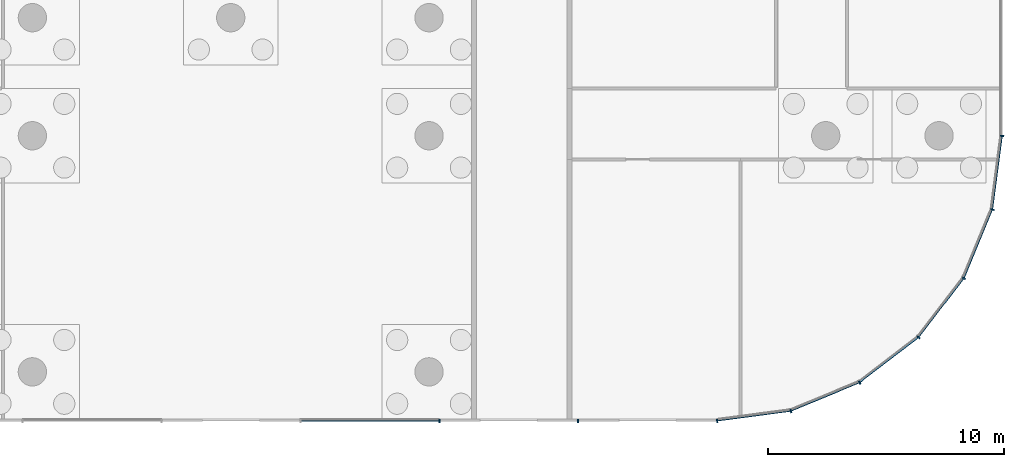
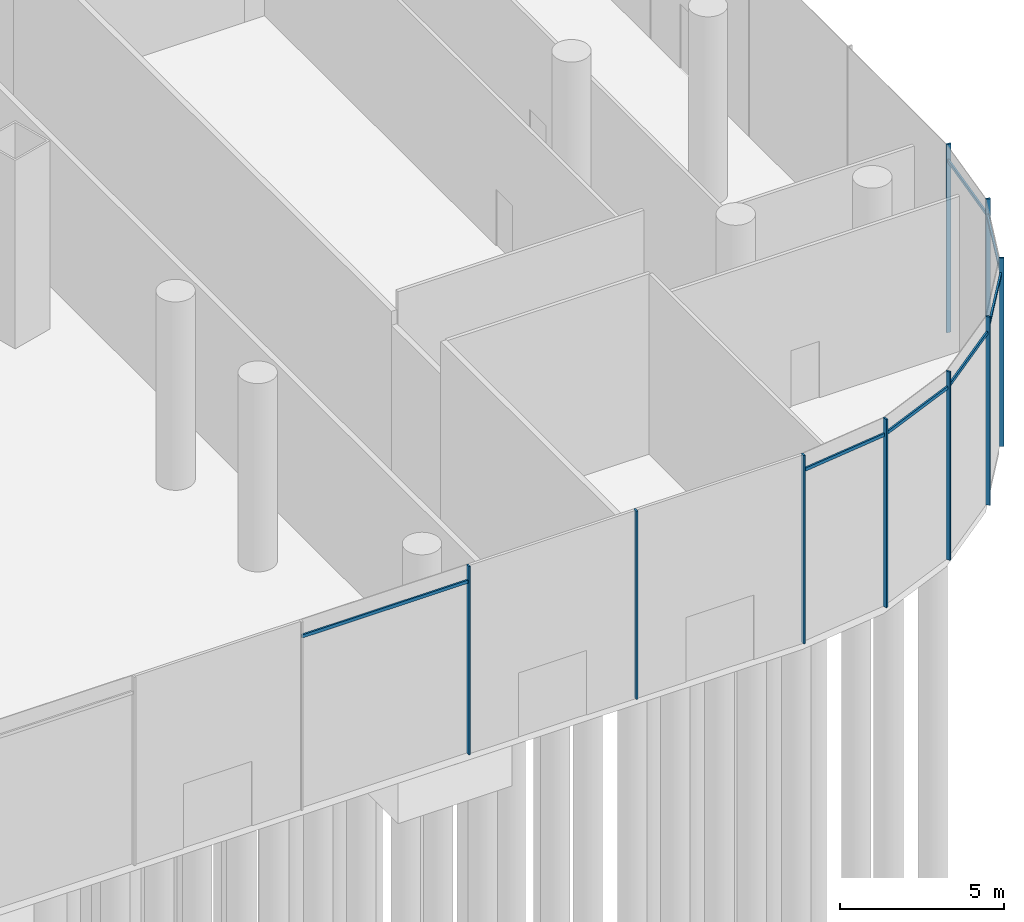
# One storey, part 11 of 41: 16 members, 1 element without a shape of its own.
"""IFC4 building model written with IfcOpenShell, lengths in metres."""

import ifcopenshell
import ifcopenshell.guid

model = None  # the IFC model being written
_history = None  # IfcOwnerHistory: only IFC2X3 demands one
_inside = {}  # id of a spatial element -> (the spatial element, [elements in it])
_under = {}  # id of a project, library or spatial element -> (it, [spatial elements below it])
_declared = {}  # id of a project -> (the project, [libraries it declares])
_typed = {}  # id of a type object -> (the type object, [elements of that type])
_made_of = {}  # id of a material, layer set ... -> (it, [elements and type objects made of it])


def new_model(schema):
    """Start an empty IFC model of exactly this schema.

    Asked for "IFC4X3", IfcOpenShell would pick the latest addendum, in which some entities
    have other attributes; the version numbers below select the first issue.
    IFC2X3 requires an IfcOwnerHistory on every rooted entity: one is made here for all.
    """
    global model, _history
    if schema == "IFC4X3":
        model = ifcopenshell.file(schema_version=(4, 3, 0, 0))
    else:
        model = ifcopenshell.file(schema=schema)
    _inside.clear()
    _under.clear()
    _declared.clear()
    _typed.clear()
    _made_of.clear()
    _history = None
    if model.schema == "IFC2X3":
        org = make("IfcOrganization", Name="unknown")
        user = make(
            "IfcPersonAndOrganization",
            ThePerson=make("IfcPerson", FamilyName="unknown"),
            TheOrganization=org,
        )
        app = make(
            "IfcApplication",
            ApplicationDeveloper=org,
            Version="unknown",
            ApplicationFullName="unknown",
            ApplicationIdentifier="unknown",
        )
        _history = make(
            "IfcOwnerHistory",
            OwningUser=user,
            OwningApplication=app,
            ChangeAction="ADDED",
            CreationDate=0,
        )
    return model


def make(cls, **values):
    """One entity of the class cls with the attributes given. An attribute that is None is left unset."""
    return model.create_entity(
        cls, **{name: value for name, value in values.items() if value is not None}
    )


def rooted(cls, **values):
    """An entity with a GlobalId (a new one), such as an element, a storey or a relation."""
    return make(cls, GlobalId=ifcopenshell.guid.new(), OwnerHistory=_history, **values)


def si_unit(unit_type, name, prefix=None):
    """IfcSIUnit, for example si_unit("LENGTHUNIT", "METRE", prefix="MILLI")."""
    return make("IfcSIUnit", UnitType=unit_type, Prefix=prefix, Name=name)


def assignment(units):
    """IfcUnitAssignment: the units of a project."""
    return None if units is None else make("IfcUnitAssignment", Units=units)


def point(xyz):
    """IfcCartesianPoint."""
    return None if xyz is None else make("IfcCartesianPoint", Coordinates=xyz)


def direction(xyz):
    """IfcDirection."""
    return None if xyz is None else make("IfcDirection", DirectionRatios=xyz)


def frame(location, z_axis=None, x_axis=None):
    """IfcAxis2Placement3D, a coordinate frame: its origin and axes. An axis left out is left unset."""
    return make(
        "IfcAxis2Placement3D",
        Location=point(location),
        Axis=direction(z_axis),
        RefDirection=direction(x_axis),
    )


def frame_2d(location, x_axis=None):
    """IfcAxis2Placement2D, a coordinate frame in the plane: its origin and x axis."""
    return make(
        "IfcAxis2Placement2D", Location=point(location), RefDirection=direction(x_axis)
    )


def origin():
    """The frame at (0, 0, 0) with its axes left unset."""
    return frame((0.0, 0.0, 0.0))


def origin_2d():
    """The frame at (0, 0) in the plane with its x axis left unset."""
    return frame_2d((0.0, 0.0))


def place(relative_to, where):
    """IfcLocalPlacement: puts the frame where relative to a parent placement (None: the world)."""
    return make(
        "IfcLocalPlacement", PlacementRelTo=relative_to, RelativePlacement=where
    )


def context(
    kind, dimensions, precision=None, world=None, true_north=None, identifier=None
):
    """IfcGeometricRepresentationContext, for example the 3D "Model" context."""
    return make(
        "IfcGeometricRepresentationContext",
        ContextIdentifier=identifier,
        ContextType=kind,
        CoordinateSpaceDimension=dimensions,
        Precision=precision,
        WorldCoordinateSystem=world,
        TrueNorth=true_north,
    )


def subcontext(parent, identifier, kind, view, scale=None):
    """IfcGeometricRepresentationSubContext, for example "Body" below "Model"."""
    return make(
        "IfcGeometricRepresentationSubContext",
        ContextIdentifier=identifier,
        ContextType=kind,
        ParentContext=parent,
        TargetScale=scale,
        TargetView=view,
    )


def project(units=None, contexts=None):
    """IfcProject with its units and contexts."""
    return rooted(
        "IfcProject",
        Name="project",
        RepresentationContexts=contexts,
        UnitsInContext=assignment(units),
    )


def spatial(cls, under=None, at=None, **own):
    """A site, building, storey or space (cls), placed at a placement, below another one or the project."""
    s = rooted(cls, ObjectPlacement=at, **own)
    if under is not None:
        _under.setdefault(under.id(), (under, []))[1].append(s)
    return s


def profile(cls, at=None, kind="AREA", **sizes):
    """A parametric profile (cls). Its sizes go by their IFC names, for example OverallWidth=200.0."""
    return make(cls, ProfileType=kind, Position=at, **sizes)


def rectangle(**sizes):
    """IfcRectangleProfileDef."""
    return profile("IfcRectangleProfileDef", **sizes)


def extrude(swept, where, along, depth):
    """IfcExtrudedAreaSolid: the profile swept, set in the frame where, extruded along a direction by depth."""
    return make(
        "IfcExtrudedAreaSolid",
        SweptArea=swept,
        Position=where,
        ExtrudedDirection=direction(along),
        Depth=depth,
    )


def shape(context_of_items, identifier, shape_type, items):
    """IfcShapeRepresentation: the items that make up one representation, for example the "Body"."""
    return make(
        "IfcShapeRepresentation",
        ContextOfItems=context_of_items,
        RepresentationIdentifier=identifier,
        RepresentationType=shape_type,
        Items=items,
    )


def material(Name=None, Category=None):
    """IfcMaterial."""
    return make("IfcMaterial", Name=Name, Category=Category)


def material_profile(
    of_material, cross_section, Name=None, Category=None, Priority=None
):
    """IfcMaterialProfile: a cross section and its material."""
    return make(
        "IfcMaterialProfile",
        Name=Name,
        Material=of_material,
        Profile=cross_section,
        Priority=Priority,
        Category=Category,
    )


def profile_set(profiles, Name=None, composite=None):
    """IfcMaterialProfileSet."""
    return make(
        "IfcMaterialProfileSet",
        Name=Name,
        MaterialProfiles=profiles,
        CompositeProfile=composite,
    )


def made_of(thing, what):
    """Note that an element or type object is made of a material, layer set ...; save() writes the relation."""
    if what is not None:
        _made_of.setdefault(what.id(), (what, []))[1].append(thing)
    return thing


def type_object(cls, material=None, **own):
    """A type object (cls), such as IfcWallType, which elements share."""
    return made_of(rooted(cls, **own), material)


def element(
    cls,
    number,
    at=None,
    inside=None,
    cuts=None,
    type_object=None,
    material=None,
    context=None,
    identifier="Body",
    shape_type=None,
    held_by="IfcProductDefinitionShape",
    body=None,
    shapes=None,
    **own,
):
    """One element of the class cls, such as IfcWall. Its Tag is "e" and its number.

    at: its placement. inside: the storey or other place that contains it. cuts: it is an
    opening in that element (IfcRelVoidsElement). A single representation is given by context,
    identifier, shape_type and body (its items); several are given by shapes. held_by: the class
    of the entity that holds the representations. save() writes the other relations.
    """
    e = rooted(cls, Tag="e%d" % number, ObjectPlacement=at, **own)
    if body is not None:
        shapes = [shape(context, identifier, shape_type, body)]
    if shapes is not None:
        e.Representation = make(held_by, Representations=shapes)
    if inside is not None:
        _inside.setdefault(inside.id(), (inside, []))[1].append(e)
    if cuts is not None:
        rooted(
            "IfcRelVoidsElement", RelatingBuildingElement=cuts, RelatedOpeningElement=e
        )
    if type_object is not None:
        _typed.setdefault(type_object.id(), (type_object, []))[1].append(e)
    return made_of(e, material)


def aggregate(whole, parts):
    """IfcRelAggregates: a whole, such as a stair, and the parts it consists of."""
    return rooted("IfcRelAggregates", RelatingObject=whole, RelatedObjects=parts)


def save(model, path):
    """Write the relations noted so far, then the file.

    IfcRelAggregates (storeys below a building ...), IfcRelContainedInSpatialStructure (elements
    in a storey), IfcRelDefinesByType, IfcRelAssociatesMaterial and IfcRelDeclares: one each for
    every whole, place, type object, material and project.
    """
    for whole, parts in _under.values():
        aggregate(whole, parts)
    for where, things in _inside.values():
        rooted(
            "IfcRelContainedInSpatialStructure",
            RelatedElements=things,
            RelatingStructure=where,
        )
    for kind, things in _typed.values():
        rooted("IfcRelDefinesByType", RelatedObjects=things, RelatingType=kind)
    for what, things in _made_of.values():
        rooted("IfcRelAssociatesMaterial", RelatedObjects=things, RelatingMaterial=what)
    for by, libraries in _declared.values():
        rooted("IfcRelDeclares", RelatingContext=by, RelatedDefinitions=libraries)
    model.write(path)


model = new_model("IFC4")

# Units and contexts
model_context = context("Model", 3, precision=1e-05, world=origin(), true_north=direction((0.0, 1.0)))
body_context = subcontext(model_context, "Body", "Model", "MODEL_VIEW")
ifc_project = project(units=[si_unit("LENGTHUNIT", "METRE"), si_unit("AREAUNIT", "SQUARE_METRE"), si_unit("VOLUMEUNIT", "CUBIC_METRE"), si_unit("PLANEANGLEUNIT", "RADIAN"), si_unit("MASSUNIT", "GRAM", prefix="KILO")], contexts=[model_context])

# Site, building, storey
site_placement = place(None, origin())
site = spatial("IfcSite", under=ifc_project, at=site_placement, CompositionType="ELEMENT")
building_placement = place(site_placement, origin())
building = spatial("IfcBuilding", under=site, at=building_placement, Name="Rimbun Link Towers", CompositionType="ELEMENT")
storey_placement = place(building_placement, origin())
storey = spatial("IfcBuildingStorey", under=building, at=storey_placement, Name="L00", CompositionType="ELEMENT", Elevation=0.0)

# Curtain wall, members
ifc_material_1 = material(Name="Aluminium 6063-T6 and low-iron glass", Category="aluminium")
curtain_wall_type = type_object("IfcCurtainWallType", Name="CW3 podium shopfront", PredefinedType="NOTDEFINED", material=ifc_material_1)
curtain_wall_placement = place(storey_placement, origin())
curtain_wall = element("IfcCurtainWall", 1, at=curtain_wall_placement, inside=storey, type_object=curtain_wall_type, Name="CW3 L00 PD", PredefinedType="NOTDEFINED")
ifc_material_2 = material(Name="Aluminium 6063-T6", Category="aluminium")
ifc_material_profile_1 = material_profile(ifc_material_2, rectangle(XDim=0.14990234375, YDim=0.06005859375, at=origin_2d()), Name="MULLION 60X150")
ifc_profile_set_1 = profile_set([ifc_material_profile_1], Name="Aluminium 6063-T6")
member_type_1 = type_object("IfcMemberType", Name="CW3 mullion 60X150", PredefinedType="MULLION", material=ifc_profile_set_1)
member_1_placement = place(storey_placement, frame((53.125244140625, -47.66357421875, 0.0), z_axis=(0.0, 0.0, 1.0), x_axis=(0.258818729038, -0.965925910978, 0.0)))
member_1 = element("IfcMember", 2, at=member_1_placement, type_object=member_type_1, Name="CW3 mullion", PredefinedType="MULLION", context=body_context, shape_type="SweptSolid", body=[
    extrude(rectangle(XDim=0.14990234375, YDim=0.06005859375, at=origin_2d()), origin(), (0.0, 0.0, 1.0), 7.0),
])
member_2_placement = place(storey_placement, frame((50.0048828125, -48.074951171875, 0.0), z_axis=(0.0, 0.0, 1.0), x_axis=(0.065405288299, -0.997858781723, 0.0)))
member_2 = element("IfcMember", 3, at=member_2_placement, type_object=member_type_1, Name="CW3 mullion", PredefinedType="MULLION", context=body_context, shape_type="SweptSolid", body=[
    extrude(rectangle(XDim=0.14990234375, YDim=0.06005859375, at=origin_2d()), origin(), (0.0, 0.0, 1.0), 7.0),
])
member_3_placement = place(storey_placement, frame((56.03759765625, -46.457275390625, 0.0), z_axis=(0.0, 0.0, 1.0), x_axis=(0.499993701568, -0.866029040155, 0.0)))
member_3 = element("IfcMember", 4, at=member_3_placement, type_object=member_type_1, Name="CW3 mullion", PredefinedType="MULLION", context=body_context, shape_type="SweptSolid", body=[
    extrude(rectangle(XDim=0.14990234375, YDim=0.06005859375, at=origin_2d()), origin(), (0.0, 0.0, 1.0), 7.0),
])
member_4_placement = place(storey_placement, frame((58.538330078125, -44.538330078125, 0.0), z_axis=(0.0, 0.0, 1.0), x_axis=(0.707106781187, -0.707106781187, 0.0)))
member_4 = element("IfcMember", 5, at=member_4_placement, type_object=member_type_1, Name="CW3 mullion", PredefinedType="MULLION", context=body_context, shape_type="SweptSolid", body=[
    extrude(rectangle(XDim=0.14990234375, YDim=0.06005859375, at=origin_2d()), origin(), (0.0, 0.0, 1.0), 7.0),
])
member_5_placement = place(storey_placement, frame((60.457275390625, -42.03759765625, 0.0), z_axis=(0.0, 0.0, 1.0), x_axis=(0.866029040155, -0.499993701568, 0.0)))
member_5 = element("IfcMember", 6, at=member_5_placement, type_object=member_type_1, Name="CW3 mullion", PredefinedType="MULLION", context=body_context, shape_type="SweptSolid", body=[
    extrude(rectangle(XDim=0.14990234375, YDim=0.06005859375, at=origin_2d()), origin(), (0.0, 0.0, 1.0), 7.0),
])
member_6_placement = place(storey_placement, frame((61.66357421875, -39.125244140625, 0.0), z_axis=(0.0, 0.0, 1.0), x_axis=(0.965925910978, -0.258818729038, 0.0)))
member_6 = element("IfcMember", 7, at=member_6_placement, type_object=member_type_1, Name="CW3 mullion", PredefinedType="MULLION", context=body_context, shape_type="SweptSolid", body=[
    extrude(rectangle(XDim=0.14990234375, YDim=0.06005859375, at=origin_2d()), origin(), (0.0, 0.0, 1.0), 7.0),
])
member_7_placement = place(storey_placement, frame((62.074951171875, -36.0048828125, 0.0), z_axis=(0.0, 0.0, 1.0), x_axis=(0.997858781723, -0.065405288299, 0.0)))
member_7 = element("IfcMember", 8, at=member_7_placement, type_object=member_type_1, Name="CW3 mullion", PredefinedType="MULLION", context=body_context, shape_type="SweptSolid", body=[
    extrude(rectangle(XDim=0.14990234375, YDim=0.06005859375, at=origin_2d()), origin(), (0.0, 0.0, 1.0), 7.0),
])
member_8_placement = place(storey_placement, frame((38.2353515625, -48.074951171875, 0.0), z_axis=(0.0, 0.0, 1.0), x_axis=(0.0, -1.0, 0.0)))
member_8 = element("IfcMember", 9, at=member_8_placement, type_object=member_type_1, Name="CW3 mullion", PredefinedType="MULLION", context=body_context, shape_type="SweptSolid", body=[
    extrude(rectangle(XDim=0.14990234375, YDim=0.06005859375, at=origin_2d()), origin(), (0.0, 0.0, 1.0), 7.0),
])
member_9_placement = place(storey_placement, frame((44.11767578125, -48.074951171875, 0.0), z_axis=(0.0, 0.0, 1.0), x_axis=(0.0, -1.0, 0.0)))
member_9 = element("IfcMember", 10, at=member_9_placement, type_object=member_type_1, Name="CW3 mullion", PredefinedType="MULLION", context=body_context, shape_type="SweptSolid", body=[
    extrude(rectangle(XDim=0.14990234375, YDim=0.06005859375, at=origin_2d()), origin(), (0.0, 0.0, 1.0), 7.0),
])
ifc_material_3 = material(Name="Aluminium 6063-T6", Category="aluminium")
ifc_material_profile_2 = material_profile(ifc_material_3, rectangle(XDim=0.06005859375, YDim=0.1201171875, at=origin_2d()), Name="TRANSOM 60X120")
ifc_profile_set_2 = profile_set([ifc_material_profile_2], Name="Aluminium 6063-T6")
member_type_2 = type_object("IfcMemberType", Name="CW3 transom 60X120", PredefinedType="USERDEFINED", material=ifc_profile_set_2)
member_10_placement = place(storey_placement, frame((53.0830078125, -47.6484375, 6.39990234375), z_axis=(-0.991441037829, -0.130555231638, 0.0), x_axis=(0.130555231638, -0.991441037829, 0.0)))
member_10 = element("IfcMember", 11, at=member_10_placement, type_object=member_type_2, Name="CW3 transom", ObjectType="TRANSOM", PredefinedType="USERDEFINED", context=body_context, shape_type="SweptSolid", body=[
    extrude(rectangle(XDim=0.06005859375, YDim=0.1201171875, at=origin_2d()), origin(), (0.0, 0.0, 1.0), 3.072509765625),
])
member_11_placement = place(storey_placement, frame((55.992919921875, -46.45361328125, 6.39990234375), z_axis=(-0.923881248716, -0.382679289053, 0.0), x_axis=(0.382679289053, -0.923881248716, 0.0)))
member_11 = element("IfcMember", 12, at=member_11_placement, type_object=member_type_2, Name="CW3 transom", ObjectType="TRANSOM", PredefinedType="USERDEFINED", context=body_context, shape_type="SweptSolid", body=[
    extrude(rectangle(XDim=0.06005859375, YDim=0.1201171875, at=origin_2d()), origin(), (0.0, 0.0, 1.0), 3.072509765625),
])
member_12_placement = place(storey_placement, frame((58.494384765625, -44.54638671875, 6.39990234375), z_axis=(-0.793344129687, -0.608773432314, 0.0), x_axis=(0.608773432314, -0.793344129687, 0.0)))
member_12 = element("IfcMember", 13, at=member_12_placement, type_object=member_type_2, Name="CW3 transom", ObjectType="TRANSOM", PredefinedType="USERDEFINED", context=body_context, shape_type="SweptSolid", body=[
    extrude(rectangle(XDim=0.06005859375, YDim=0.1201171875, at=origin_2d()), origin(), (0.0, 0.0, 1.0), 3.07275390625),
])
member_13_placement = place(storey_placement, frame((60.4169921875, -42.056640625, 6.39990234375), z_axis=(-0.608773432314, -0.793344129687, 0.0), x_axis=(0.793344129687, -0.608773432314, 0.0)))
member_13 = element("IfcMember", 14, at=member_13_placement, type_object=member_type_2, Name="CW3 transom", ObjectType="TRANSOM", PredefinedType="USERDEFINED", context=body_context, shape_type="SweptSolid", body=[
    extrude(rectangle(XDim=0.06005859375, YDim=0.1201171875, at=origin_2d()), origin(), (0.0, 0.0, 1.0), 3.07275390625),
])
member_14_placement = place(storey_placement, frame((61.62939453125, -39.154296875, 6.39990234375), z_axis=(-0.382679289053, -0.923881248716, 0.0), x_axis=(0.923881248716, -0.382679289053, 0.0)))
member_14 = element("IfcMember", 15, at=member_14_placement, type_object=member_type_2, Name="CW3 transom", ObjectType="TRANSOM", PredefinedType="USERDEFINED", context=body_context, shape_type="SweptSolid", body=[
    extrude(rectangle(XDim=0.06005859375, YDim=0.1201171875, at=origin_2d()), origin(), (0.0, 0.0, 1.0), 3.072509765625),
])
member_15_placement = place(storey_placement, frame((62.049560546875, -36.036865234375, 6.39990234375), z_axis=(-0.130555231638, -0.991441037829, 0.0), x_axis=(0.991441037829, -0.130555231638, 0.0)))
member_15 = element("IfcMember", 16, at=member_15_placement, type_object=member_type_2, Name="CW3 transom", ObjectType="TRANSOM", PredefinedType="USERDEFINED", context=body_context, shape_type="SweptSolid", body=[
    extrude(rectangle(XDim=0.06005859375, YDim=0.1201171875, at=origin_2d()), origin(), (0.0, 0.0, 1.0), 3.072509765625),
])
member_16_placement = place(storey_placement, frame((38.205322265625, -48.053955078125, 6.39990234375), z_axis=(-1.0, 0.0, 0.0), x_axis=(0.0, -1.0, 0.0)))
member_16 = element("IfcMember", 17, at=member_16_placement, type_object=member_type_2, Name="CW3 transom", ObjectType="TRANSOM", PredefinedType="USERDEFINED", context=body_context, shape_type="SweptSolid", body=[
    extrude(rectangle(XDim=0.06005859375, YDim=0.1201171875, at=origin_2d()), origin(), (0.0, 0.0, 1.0), 5.822265625),
])
aggregate(curtain_wall, [member_1, member_2, member_3, member_4, member_5, member_6, member_7, member_8, member_9, member_10, member_11, member_12, member_13, member_14, member_15, member_16])

save(model, "model.ifc")
